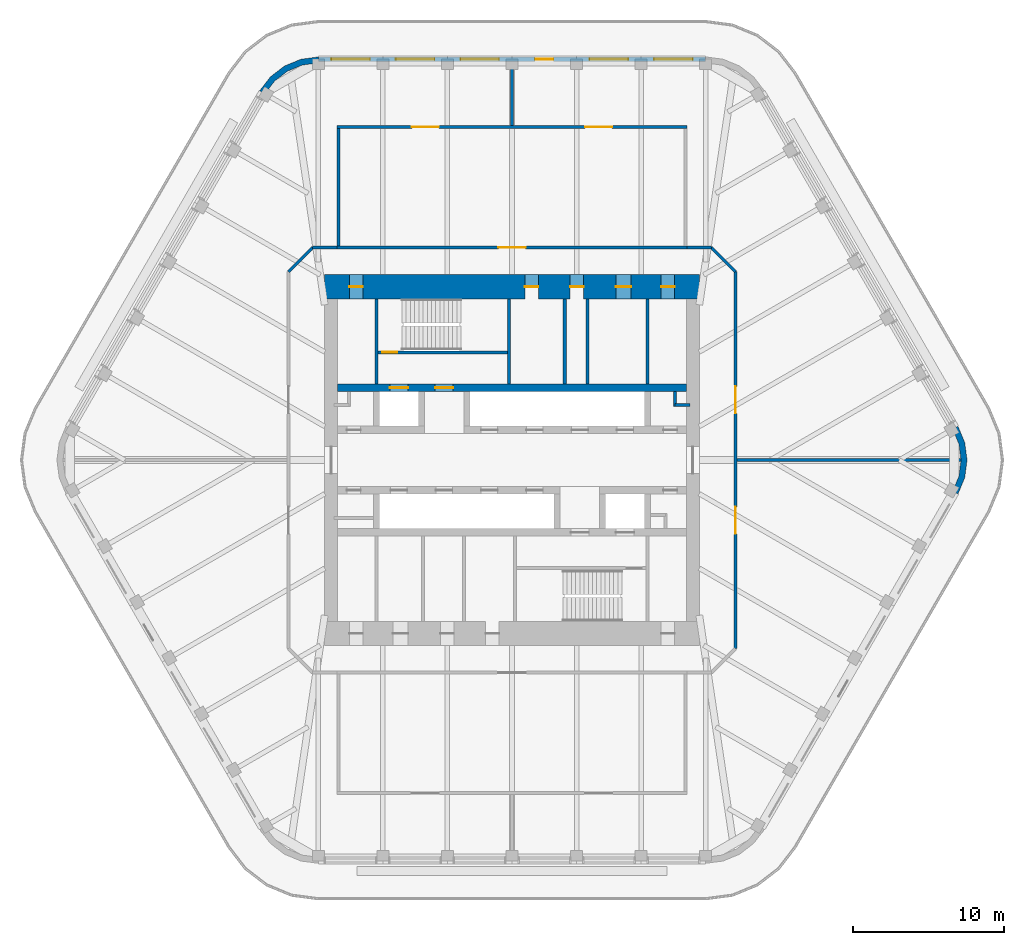
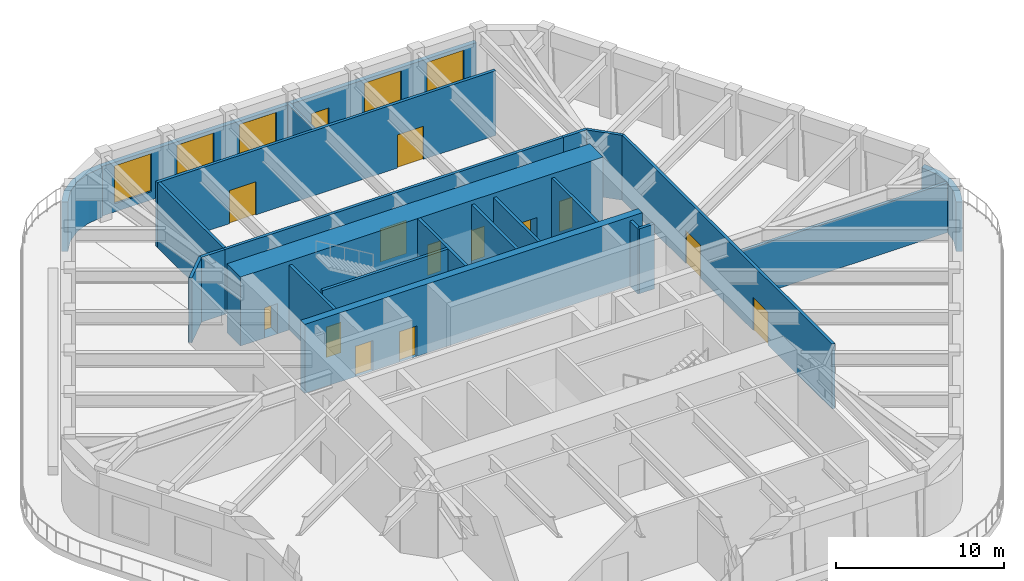
# One storey, part 9 of 13: 23 walls, 14 doors, 5 windows, 19 openings.
"""IFC4 building model written with IfcOpenShell, lengths in metres."""

from ifc_helpers import new_model, si_unit, direction, frame, frame_2d, origin, place, context, subcontext, project, spatial, polyline, rectangle, outline, extrude, material, layer, layer_set, type_object, element, fill, save


model = new_model("IFC4")

# Units and contexts
model_context = context("Model", 3, precision=1e-05, world=origin(), true_north=direction((0.0, 1.0)))
body_context = subcontext(model_context, "Body", "Model", "MODEL_VIEW")
ifc_project = project(units=[si_unit("LENGTHUNIT", "METRE"), si_unit("AREAUNIT", "SQUARE_METRE"), si_unit("VOLUMEUNIT", "CUBIC_METRE"), si_unit("PLANEANGLEUNIT", "RADIAN"), si_unit("MASSUNIT", "GRAM", prefix="KILO")], contexts=[model_context])

# Site, building, storey
site_placement = place(None, origin())
site = spatial("IfcSite", under=ifc_project, at=site_placement, CompositionType="ELEMENT")
building_placement = place(site_placement, origin())
building = spatial("IfcBuilding", under=site, at=building_placement, Name="Tarfa Lantern Tower", CompositionType="ELEMENT")
storey_placement = place(building_placement, frame((0.0, 0.0, 391.300048828125)))
storey = spatial("IfcBuildingStorey", under=building, at=storey_placement, Name="L89", CompositionType="ELEMENT", Elevation=391.300048828125)

# Wall, openings, door, windows
ifc_material_1 = material(Name="Limestone cladding on blockwork", Category="masonry")
ifc_layer_1 = layer(ifc_material_1, 0.300048828125)
ifc_layer_set_1 = layer_set([ifc_layer_1], Name="EW1 STONE-CLAD WALL 300")
wall_type_1 = type_object("IfcWallType", Name="EW1 STONE-CLAD WALL 300", PredefinedType="SOLIDWALL", material=ifc_layer_set_1)
wall_1_placement = place(storey_placement, frame((12.845947265625, 26.60009765625, 0.0), z_axis=(0.0, 0.0, 1.0), x_axis=(-1.0, 0.0, 0.0)))
wall_1 = element("IfcWall", 1, at=wall_1_placement, inside=storey, type_object=wall_type_1, Name="Stone wall N", PredefinedType="SOLIDWALL", context=body_context, shape_type="SweptSolid", body=[
    extrude(rectangle(XDim=25.69189453125, YDim=0.300048828125, at=frame_2d((12.845947265625, 0.0))), origin(), (0.0, 0.0, 1.0), 3.599853515625),
])
opening_1_placement = place(wall_1_placement, frame((0.865966796875, 0.0, 0.60009765625)))
opening_1 = element("IfcOpeningElement", 2, at=opening_1_placement, cuts=wall_1, Name="Opening W18", PredefinedType="OPENING", context=body_context, shape_type="SweptSolid", body=[
    extrude(rectangle(XDim=2.550048828125, YDim=2.75, at=frame_2d((1.27490234375, 1.375))), frame((0.0, 0.159912109375, 0.0), z_axis=(0.0, -1.0, 0.0), x_axis=(1.0, 0.0, 0.0)), (0.0, 0.0, 1.0), 0.320068359375),
])
opening_2_placement = place(wall_1_placement, frame((5.14794921875, 0.0, 0.60009765625)))
opening_2 = element("IfcOpeningElement", 3, at=opening_2_placement, cuts=wall_1, Name="Opening W18", PredefinedType="OPENING", context=body_context, shape_type="SweptSolid", body=[
    extrude(rectangle(XDim=2.550048828125, YDim=2.75, at=frame_2d((1.27490234375, 1.375))), frame((0.0, 0.159912109375, 0.0), z_axis=(0.0, -1.0, 0.0), x_axis=(1.0, 0.0, 0.0)), (0.0, 0.0, 1.0), 0.320068359375),
])
opening_3_placement = place(wall_1_placement, frame((10.10498046875, 0.0, 0.0)))
opening_3 = element("IfcOpeningElement", 4, at=opening_3_placement, cuts=wall_1, Name="Opening D31", PredefinedType="OPENING", context=body_context, shape_type="SweptSolid", body=[
    extrude(rectangle(XDim=1.199951171875, YDim=2.39990234375, at=frame_2d((0.60009765625, 1.199951171875))), frame((0.0, 0.159912109375, 0.0), z_axis=(0.0, -1.0, 0.0), x_axis=(1.0, 0.0, 0.0)), (0.0, 0.0, 1.0), 0.320068359375),
])
opening_4_placement = place(wall_1_placement, frame((13.712158203125, 0.0, 0.60009765625)))
opening_4 = element("IfcOpeningElement", 5, at=opening_4_placement, cuts=wall_1, Name="Opening W18", PredefinedType="OPENING", context=body_context, shape_type="SweptSolid", body=[
    extrude(rectangle(XDim=2.550048828125, YDim=2.75, at=frame_2d((1.27490234375, 1.375))), frame((0.0, 0.159912109375, 0.0), z_axis=(0.0, -1.0, 0.0), x_axis=(1.0, 0.0, 0.0)), (0.0, 0.0, 1.0), 0.320068359375),
])
opening_5_placement = place(wall_1_placement, frame((17.994140625, 0.0, 0.60009765625)))
opening_5 = element("IfcOpeningElement", 6, at=opening_5_placement, cuts=wall_1, Name="Opening W18", PredefinedType="OPENING", context=body_context, shape_type="SweptSolid", body=[
    extrude(rectangle(XDim=2.550048828125, YDim=2.75, at=frame_2d((1.27490234375, 1.375))), frame((0.0, 0.159912109375, 0.0), z_axis=(0.0, -1.0, 0.0), x_axis=(1.0, 0.0, 0.0)), (0.0, 0.0, 1.0), 0.320068359375),
])
opening_6_placement = place(wall_1_placement, frame((22.276123046875, 0.0, 0.60009765625)))
opening_6 = element("IfcOpeningElement", 7, at=opening_6_placement, cuts=wall_1, Name="Opening W18", PredefinedType="OPENING", context=body_context, shape_type="SweptSolid", body=[
    extrude(rectangle(XDim=2.550048828125, YDim=2.75, at=frame_2d((1.27490234375, 1.375))), frame((0.0, 0.159912109375, 0.0), z_axis=(0.0, -1.0, 0.0), x_axis=(1.0, 0.0, 0.0)), (0.0, 0.0, 1.0), 0.320068359375),
])
ifc_material_2 = material(Name="Aluminium framed glazed door", Category="aluminium")
door_type_1 = type_object("IfcDoorType", Name="BE3 BALCONY DOOR 1200x2400", OperationType="SINGLE_SWING_RIGHT", PredefinedType="DOOR", material=ifc_material_2)
door_1_placement = place(opening_3_placement, origin())
door_1 = element("IfcDoor", 8, at=door_1_placement, inside=storey, type_object=door_type_1, Name="Balcony door N", OperationType="SINGLE_SWING_LEFT", OverallHeight=2.39990234375, OverallWidth=1.199951171875, PredefinedType="DOOR", context=body_context, shape_type="SweptSolid", body=[
    extrude(rectangle(XDim=1.199951171875, YDim=2.39990234375, at=frame_2d((0.60009765625, 1.199951171875))), frame((0.0, 0.02490234375, 0.0), z_axis=(0.0, -1.0, 0.0), x_axis=(1.0, 0.0, 0.0)), (0.0, 0.0, 1.0), 0.050048828125),
])
fill(opening_3, door_1)
ifc_material_3 = material(Name="Aluminium frame, double glazed", Category="aluminium")
window_type = type_object("IfcWindowType", Name="W18 FULL-HEIGHT GLAZING 2550x2750", PartitioningType="SINGLE_PANEL", PredefinedType="WINDOW", material=ifc_material_3)
window_1_placement = place(opening_1_placement, origin())
window_1 = element("IfcWindow", 9, at=window_1_placement, inside=storey, type_object=window_type, Name="Window N 1", OverallHeight=2.75, OverallWidth=2.550048828125, PartitioningType="SINGLE_PANEL", PredefinedType="WINDOW", context=body_context, shape_type="SweptSolid", body=[
    extrude(rectangle(XDim=2.550048828125, YDim=2.75, at=frame_2d((1.27490234375, 1.375))), frame((0.0, 0.030029296875, 0.0), z_axis=(0.0, -1.0, 0.0), x_axis=(1.0, 0.0, 0.0)), (0.0, 0.0, 1.0), 0.06005859375),
])
fill(opening_1, window_1)
window_2_placement = place(opening_2_placement, origin())
window_2 = element("IfcWindow", 10, at=window_2_placement, inside=storey, type_object=window_type, Name="Window N 2", OverallHeight=2.75, OverallWidth=2.550048828125, PartitioningType="SINGLE_PANEL", PredefinedType="WINDOW", context=body_context, shape_type="SweptSolid", body=[
    extrude(rectangle(XDim=2.550048828125, YDim=2.75, at=frame_2d((1.27490234375, 1.375))), frame((0.0, 0.030029296875, 0.0), z_axis=(0.0, -1.0, 0.0), x_axis=(1.0, 0.0, 0.0)), (0.0, 0.0, 1.0), 0.06005859375),
])
fill(opening_2, window_2)
window_3_placement = place(opening_4_placement, origin())
window_3 = element("IfcWindow", 11, at=window_3_placement, inside=storey, type_object=window_type, Name="Window N 4", OverallHeight=2.75, OverallWidth=2.550048828125, PartitioningType="SINGLE_PANEL", PredefinedType="WINDOW", context=body_context, shape_type="SweptSolid", body=[
    extrude(rectangle(XDim=2.550048828125, YDim=2.75, at=frame_2d((1.27490234375, 1.375))), frame((0.0, 0.030029296875, 0.0), z_axis=(0.0, -1.0, 0.0), x_axis=(1.0, 0.0, 0.0)), (0.0, 0.0, 1.0), 0.06005859375),
])
fill(opening_4, window_3)
window_4_placement = place(opening_5_placement, origin())
window_4 = element("IfcWindow", 12, at=window_4_placement, inside=storey, type_object=window_type, Name="Window N 5", OverallHeight=2.75, OverallWidth=2.550048828125, PartitioningType="SINGLE_PANEL", PredefinedType="WINDOW", context=body_context, shape_type="SweptSolid", body=[
    extrude(rectangle(XDim=2.550048828125, YDim=2.75, at=frame_2d((1.27490234375, 1.375))), frame((0.0, 0.030029296875, 0.0), z_axis=(0.0, -1.0, 0.0), x_axis=(1.0, 0.0, 0.0)), (0.0, 0.0, 1.0), 0.06005859375),
])
fill(opening_5, window_4)
window_5_placement = place(opening_6_placement, origin())
window_5 = element("IfcWindow", 13, at=window_5_placement, inside=storey, type_object=window_type, Name="Window N 6", OverallHeight=2.75, OverallWidth=2.550048828125, PartitioningType="SINGLE_PANEL", PredefinedType="WINDOW", context=body_context, shape_type="SweptSolid", body=[
    extrude(rectangle(XDim=2.550048828125, YDim=2.75, at=frame_2d((1.27490234375, 1.375))), frame((0.0, 0.030029296875, 0.0), z_axis=(0.0, -1.0, 0.0), x_axis=(1.0, 0.0, 0.0)), (0.0, 0.0, 1.0), 0.06005859375),
])
fill(opening_6, window_5)

# Walls
ifc_layer_2 = layer(ifc_material_1, 0.39990234375)
ifc_layer_set_2 = layer_set([ifc_layer_2], Name="EW2 CURVED STONE CORNER 400")
wall_type_2 = type_object("IfcWallType", Name="EW2 CURVED STONE CORNER 400", PredefinedType="SOLIDWALL", material=ifc_layer_set_2)
wall_2_placement = place(storey_placement, origin())
element("IfcWall", 14, at=wall_2_placement, inside=storey, type_object=wall_type_2, Name="Stone corner N-NW", PredefinedType="SOLIDWALL", context=body_context, shape_type="SweptSolid", body=[
    extrude(outline(polyline([(-12.845947265625, 26.75), (-14.0107421875, 26.5966796875), (-15.095947265625, 26.147216796875), (-16.028076171875, 25.431884765625), (-16.7431640625, 24.5), (-16.396728515625, 24.300048828125), (-15.7451171875, 25.149169921875), (-14.89599609375, 25.80078125), (-13.9072265625, 26.210205078125), (-12.845947265625, 26.35009765625), (-12.845947265625, 26.75)])), origin(), (0.0, 0.0, 1.0), 3.599853515625),
])
wall_3_placement = place(storey_placement, origin())
element("IfcWall", 15, at=wall_3_placement, inside=storey, type_object=wall_type_2, Name="Stone corner SE-NE", PredefinedType="SOLIDWALL", context=body_context, shape_type="SweptSolid", body=[
    extrude(outline(polyline([(29.589111328125, -2.25), (30.038818359375, -1.164794921875), (30.192138671875, 0.0), (30.038818359375, 1.164794921875), (29.589111328125, 2.25), (29.24267578125, 2.050048828125), (29.65234375, 1.061279296875), (29.7919921875, 0.0), (29.65234375, -1.061279296875), (29.24267578125, -2.050048828125), (29.589111328125, -2.25)])), origin(), (0.0, 0.0, 1.0), 3.599853515625),
])
ifc_material_4 = material(Name="Concrete blockwork", Category="masonry")
ifc_layer_3 = layer(ifc_material_4, 0.199951171875)
ifc_layer_set_3 = layer_set([ifc_layer_3], Name="IW1 BLOCKWORK PARTITION 200 EI 120")
wall_type_3 = type_object("IfcWallType", Name="IW1 BLOCKWORK PARTITION 200 EI 120", PredefinedType="PARTITIONING", material=ifc_layer_set_3)
for number, where, z_axis, x_axis, name in (
    (16, (-9.0, 5.050048828125, 0.0), (0.0, 0.0, 1.0), (0.0, 1.0, 0.0), "Core partition"),
    (17, (9.0, 5.050048828125, 0.0), (0.0, 0.0, 1.0), (0.0, 1.0, 0.0), "Core partition"),
    (18, (3.5, 5.050048828125, 0.0), (0.0, 0.0, 1.0), (0.0, 1.0, 0.0), "Core partition"),
    (19, (5.0, 5.050048828125, 0.0), (0.0, 0.0, 1.0), (0.0, 1.0, 0.0), "Core partition"),
):
    element("IfcWall", number, at=place(storey_placement, frame(where, z_axis=z_axis, x_axis=x_axis)), inside=storey, type_object=wall_type_3, Name=name, PredefinedType="PARTITIONING", context=body_context, shape_type="SweptSolid", body=[
        extrude(rectangle(XDim=5.64990234375, YDim=0.199951171875, at=frame_2d((2.824951171875, 0.0))), origin(), (0.0, 0.0, 1.0), 4.699951171875),
    ])
for number, where, z_axis, x_axis, name in (
    (20, (10.800048828125, 3.64990234375, 0.0), (0.0, 0.0, 1.0), (1.0, 0.0, 0.0), "Core partition"),
    (21, (10.800048828125, 3.550048828125, 0.0), (0.0, 0.0, 1.0), (0.0, 1.0, 0.0), "Core partition"),
):
    element("IfcWall", number, at=place(storey_placement, frame(where, z_axis=z_axis, x_axis=x_axis)), inside=storey, type_object=wall_type_3, Name=name, PredefinedType="PARTITIONING", context=body_context, shape_type="SweptSolid", body=[
        extrude(rectangle(XDim=1.0, YDim=0.199951171875, at=frame_2d((0.5, 0.0))), origin(), (0.0, 0.0, 1.0), 4.699951171875),
    ])

# Wall, opening, door
ifc_material_5 = material(Name="Gypsum board on steel studs", Category="steel")
ifc_layer_4 = layer(ifc_material_5, 0.2099609375)
ifc_layer_set_4 = layer_set([ifc_layer_4], Name="IW2 ACOUSTIC PARTITION 200")
wall_type_4 = type_object("IfcWallType", Name="IW2 ACOUSTIC PARTITION 200", PredefinedType="PARTITIONING", material=ifc_layer_set_4)
wall_4_placement = place(storey_placement, frame((-11.60009765625, 14.10009765625, 0.0), z_axis=(0.0, 0.0, 1.0), x_axis=(1.0, 0.0, 0.0)))
wall_4 = element("IfcWall", 22, at=wall_4_placement, inside=storey, type_object=wall_type_4, Name="Partition", PredefinedType="PARTITIONING", context=body_context, shape_type="SweptSolid", body=[
    extrude(rectangle(XDim=23.2001953125, YDim=0.199951171875, at=frame_2d((11.60009765625, 0.0))), origin(), (0.0, 0.0, 1.0), 4.699951171875),
])
opening_7_placement = place(wall_4_placement, frame((10.699951171875, 0.0, 0.0)))
opening_7 = element("IfcOpeningElement", 23, at=opening_7_placement, cuts=wall_4, Name="Opening D21", PredefinedType="OPENING", context=body_context, shape_type="SweptSolid", body=[
    extrude(rectangle(XDim=1.800048828125, YDim=2.39990234375, at=frame_2d((0.89990234375, 1.199951171875))), frame((0.0, 0.10986328125, 0.0), z_axis=(0.0, -1.0, 0.0), x_axis=(1.0, 0.0, 0.0)), (0.0, 0.0, 1.0), 0.219970703125),
])
ifc_material_6 = material(Name="Timber door", Category="wood")
door_type_2 = type_object("IfcDoorType", Name="DR2 ROOM DOOR 1800x2400", OperationType="DOUBLE_DOOR_SINGLE_SWING", PredefinedType="DOOR", material=ifc_material_6)
door_2_placement = place(opening_7_placement, origin())
door_2 = element("IfcDoor", 24, at=door_2_placement, inside=storey, type_object=door_type_2, Name="Boardroom door", OperationType="DOUBLE_DOOR_SINGLE_SWING", OverallHeight=2.39990234375, OverallWidth=1.800048828125, PredefinedType="DOOR", context=body_context, shape_type="SweptSolid", body=[
    extrude(rectangle(XDim=1.800048828125, YDim=2.39990234375, at=frame_2d((0.89990234375, 1.199951171875))), frame((0.0, 0.02490234375, 0.0), z_axis=(0.0, -1.0, 0.0), x_axis=(1.0, 0.0, 0.0)), (0.0, 0.0, 1.0), 0.050048828125),
])
fill(opening_7, door_2)

# Wall
wall_5_placement = place(storey_placement, frame((-11.5, 14.199951171875, 0.0), z_axis=(0.0, 0.0, 1.0), x_axis=(0.0, 1.0, 0.0)))
element("IfcWall", 25, at=wall_5_placement, inside=storey, type_object=wall_type_4, Name="Partition", PredefinedType="PARTITIONING", context=body_context, shape_type="SweptSolid", body=[
    extrude(rectangle(XDim=7.800048828125, YDim=0.199951171875, at=frame_2d((3.89990234375, 0.0))), origin(), (0.0, 0.0, 1.0), 4.699951171875),
])

# Wall, openings, doors
wall_6_placement = place(storey_placement, frame((-11.60009765625, 22.10009765625, 0.0), z_axis=(0.0, 0.0, 1.0), x_axis=(1.0, 0.0, 0.0)))
wall_6 = element("IfcWall", 26, at=wall_6_placement, inside=storey, type_object=wall_type_4, Name="Partition", PredefinedType="PARTITIONING", context=body_context, shape_type="SweptSolid", body=[
    extrude(rectangle(XDim=23.2001953125, YDim=0.199951171875, at=frame_2d((11.60009765625, 0.0))), origin(), (0.0, 0.0, 1.0), 4.699951171875),
])
opening_8_placement = place(wall_6_placement, frame((4.949951171875, 0.0, 0.0)))
opening_8 = element("IfcOpeningElement", 27, at=opening_8_placement, cuts=wall_6, Name="Opening D23", PredefinedType="OPENING", context=body_context, shape_type="SweptSolid", body=[
    extrude(rectangle(XDim=1.800048828125, YDim=2.39990234375, at=frame_2d((0.89990234375, 1.199951171875))), frame((0.0, 0.10986328125, 0.0), z_axis=(0.0, -1.0, 0.0), x_axis=(1.0, 0.0, 0.0)), (0.0, 0.0, 1.0), 0.219970703125),
])
opening_9_placement = place(wall_6_placement, frame((16.449951171875, 0.0, 0.0)))
opening_9 = element("IfcOpeningElement", 28, at=opening_9_placement, cuts=wall_6, Name="Opening D24", PredefinedType="OPENING", context=body_context, shape_type="SweptSolid", body=[
    extrude(rectangle(XDim=1.800048828125, YDim=2.39990234375, at=frame_2d((0.89990234375, 1.199951171875))), frame((0.0, 0.10986328125, 0.0), z_axis=(0.0, -1.0, 0.0), x_axis=(1.0, 0.0, 0.0)), (0.0, 0.0, 1.0), 0.219970703125),
])
door_3_placement = place(opening_8_placement, frame((1.800048828125, 0.0, 0.0), z_axis=(0.0, 0.0, 1.0), x_axis=(-1.0, 0.0, 0.0)))
door_3 = element("IfcDoor", 29, at=door_3_placement, inside=storey, type_object=door_type_2, Name="Boardroom door", OperationType="DOUBLE_DOOR_SINGLE_SWING", OverallHeight=2.39990234375, OverallWidth=1.800048828125, PredefinedType="DOOR", context=body_context, shape_type="SweptSolid", body=[
    extrude(rectangle(XDim=1.800048828125, YDim=2.39990234375, at=frame_2d((0.89990234375, 1.199951171875))), frame((0.0, 0.02490234375, 0.0), z_axis=(0.0, -1.0, 0.0), x_axis=(1.0, 0.0, 0.0)), (0.0, 0.0, 1.0), 0.050048828125),
])
fill(opening_8, door_3)
door_4_placement = place(opening_9_placement, frame((1.800048828125, 0.0, 0.0), z_axis=(0.0, 0.0, 1.0), x_axis=(-1.0, 0.0, 0.0)))
door_4 = element("IfcDoor", 30, at=door_4_placement, inside=storey, type_object=door_type_2, Name="Boardroom door", OperationType="DOUBLE_DOOR_SINGLE_SWING", OverallHeight=2.39990234375, OverallWidth=1.800048828125, PredefinedType="DOOR", context=body_context, shape_type="SweptSolid", body=[
    extrude(rectangle(XDim=1.800048828125, YDim=2.39990234375, at=frame_2d((0.89990234375, 1.199951171875))), frame((0.0, 0.02490234375, 0.0), z_axis=(0.0, -1.0, 0.0), x_axis=(1.0, 0.0, 0.0)), (0.0, 0.0, 1.0), 0.050048828125),
])
fill(opening_9, door_4)

# Walls
for number, where, z_axis, x_axis, name in (
    (31, (-13.22509765625, 14.10009765625, 0.0), (0.0, 0.0, 1.0), (1.0, 0.0, 0.0), "Partition"),
    (32, (11.60009765625, 14.10009765625, 0.0), (0.0, 0.0, 1.0), (1.0, 0.0, 0.0), "Partition"),
):
    element("IfcWall", number, at=place(storey_placement, frame(where, z_axis=z_axis, x_axis=x_axis)), inside=storey, type_object=wall_type_4, Name=name, PredefinedType="PARTITIONING", context=body_context, shape_type="SweptSolid", body=[
        extrude(rectangle(XDim=1.625, YDim=0.199951171875, at=frame_2d((0.8125, 0.0))), origin(), (0.0, 0.0, 1.0), 4.699951171875),
    ])
wall_7_placement = place(storey_placement, frame((13.22509765625, 14.10009765625, 0.0), z_axis=(0.0, 0.0, 1.0), x_axis=(0.707052830339, -0.707160727918, 0.0)))
element("IfcWall", 33, at=wall_7_placement, inside=storey, type_object=wall_type_4, Name="Partition", PredefinedType="PARTITIONING", context=body_context, shape_type="SweptSolid", body=[
    extrude(rectangle(XDim=2.2626953125, YDim=0.199951171875, at=frame_2d((1.13134765625, 0.0))), origin(), (0.0, 0.0, 1.0), 4.699951171875),
])

# Wall, openings, doors
wall_8_placement = place(storey_placement, frame((14.824951171875, 12.5, 0.0), z_axis=(0.0, 0.0, 1.0), x_axis=(0.0, -1.0, 0.0)))
wall_8 = element("IfcWall", 34, at=wall_8_placement, inside=storey, type_object=wall_type_4, Name="Partition", PredefinedType="PARTITIONING", context=body_context, shape_type="SweptSolid", body=[
    extrude(rectangle(XDim=25.0, YDim=0.199951171875, at=frame_2d((12.5, 0.0))), origin(), (0.0, 0.0, 1.0), 4.699951171875),
])
opening_10_placement = place(wall_8_placement, frame((7.60009765625, 0.0, 0.0)))
opening_10 = element("IfcOpeningElement", 35, at=opening_10_placement, cuts=wall_8, Name="Opening D27", PredefinedType="OPENING", context=body_context, shape_type="SweptSolid", body=[
    extrude(rectangle(XDim=1.800048828125, YDim=2.39990234375, at=frame_2d((0.89990234375, 1.199951171875))), frame((0.0, 0.10986328125, 0.0), z_axis=(0.0, -1.0, 0.0), x_axis=(1.0, 0.0, 0.0)), (0.0, 0.0, 1.0), 0.219970703125),
])
opening_11_placement = place(wall_8_placement, frame((15.60009765625, 0.0, 0.0)))
opening_11 = element("IfcOpeningElement", 36, at=opening_11_placement, cuts=wall_8, Name="Opening D29", PredefinedType="OPENING", context=body_context, shape_type="SweptSolid", body=[
    extrude(rectangle(XDim=1.800048828125, YDim=2.39990234375, at=frame_2d((0.89990234375, 1.199951171875))), frame((0.0, 0.10986328125, 0.0), z_axis=(0.0, -1.0, 0.0), x_axis=(1.0, 0.0, 0.0)), (0.0, 0.0, 1.0), 0.219970703125),
])
door_5_placement = place(opening_10_placement, origin())
door_5 = element("IfcDoor", 37, at=door_5_placement, inside=storey, type_object=door_type_2, Name="Board support office north-east door", OperationType="DOUBLE_DOOR_SINGLE_SWING", OverallHeight=2.39990234375, OverallWidth=1.800048828125, PredefinedType="DOOR", context=body_context, shape_type="SweptSolid", body=[
    extrude(rectangle(XDim=1.800048828125, YDim=2.39990234375, at=frame_2d((0.89990234375, 1.199951171875))), frame((0.0, 0.02490234375, 0.0), z_axis=(0.0, -1.0, 0.0), x_axis=(1.0, 0.0, 0.0)), (0.0, 0.0, 1.0), 0.050048828125),
])
fill(opening_10, door_5)
door_6_placement = place(opening_11_placement, origin())
door_6 = element("IfcDoor", 38, at=door_6_placement, inside=storey, type_object=door_type_2, Name="Board support office south-east door", OperationType="DOUBLE_DOOR_SINGLE_SWING", OverallHeight=2.39990234375, OverallWidth=1.800048828125, PredefinedType="DOOR", context=body_context, shape_type="SweptSolid", body=[
    extrude(rectangle(XDim=1.800048828125, YDim=2.39990234375, at=frame_2d((0.89990234375, 1.199951171875))), frame((0.0, 0.02490234375, 0.0), z_axis=(0.0, -1.0, 0.0), x_axis=(1.0, 0.0, 0.0)), (0.0, 0.0, 1.0), 0.050048828125),
])
fill(opening_11, door_6)

# Walls
wall_9_placement = place(storey_placement, frame((-14.824951171875, 12.5, 0.0), z_axis=(0.0, 0.0, 1.0), x_axis=(0.707052830339, 0.707160727918, 0.0)))
element("IfcWall", 39, at=wall_9_placement, inside=storey, type_object=wall_type_4, Name="Partition", PredefinedType="PARTITIONING", context=body_context, shape_type="SweptSolid", body=[
    extrude(rectangle(XDim=2.2626953125, YDim=0.199951171875, at=frame_2d((1.13134765625, 0.0))), origin(), (0.0, 0.0, 1.0), 4.699951171875),
])
wall_10_placement = place(storey_placement, frame((0.0, 22.199951171875, 0.0), z_axis=(0.0, 0.0, 1.0), x_axis=(0.0, 1.0, 0.0)))
element("IfcWall", 40, at=wall_10_placement, inside=storey, type_object=wall_type_4, Name="Partition", PredefinedType="PARTITIONING", context=body_context, shape_type="SweptSolid", body=[
    extrude(rectangle(XDim=4.360107421875, YDim=0.199951171875, at=frame_2d((2.18017578125, 0.0))), origin(), (0.0, 0.0, 1.0), 3.69189453125),
])
wall_11_placement = place(storey_placement, frame((14.925048828125, 0.0, 0.0), z_axis=(0.0, 0.0, 1.0), x_axis=(1.0, 0.0, 0.0)))
element("IfcWall", 41, at=wall_11_placement, inside=storey, type_object=wall_type_4, Name="Partition", PredefinedType="PARTITIONING", context=body_context, shape_type="SweptSolid", body=[
    extrude(rectangle(XDim=14.85400390625, YDim=0.199951171875, at=frame_2d((7.427001953125, 0.0))), origin(), (0.0, 0.0, 1.0), 3.599853515625),
])
ifc_material_7 = material(Name="Concrete C80/95", Category="concrete")
ifc_layer_5 = layer(ifc_material_7, 0.199951171875)
ifc_layer_set_5 = layer_set([ifc_layer_5], Name="SW12 CORE WALL 200")
wall_type_5 = type_object("IfcWallType", Name="SW12 CORE WALL 200", PredefinedType="SHEAR", material=ifc_layer_set_5)
wall_12_placement = place(storey_placement, frame((-0.199951171875, 5.050048828125, 0.0), z_axis=(0.0, 0.0, 1.0), x_axis=(0.0, 1.0, 0.0)))
element("IfcWall", 42, at=wall_12_placement, inside=storey, type_object=wall_type_5, Name="Core wall stair shaft N", PredefinedType="SHEAR", context=body_context, shape_type="SweptSolid", body=[
    extrude(rectangle(XDim=5.64990234375, YDim=0.199951171875, at=frame_2d((2.824951171875, 0.0))), origin(), (0.0, 0.0, 1.0), 5.0),
])

# Wall, opening, door
wall_13_placement = place(storey_placement, frame((-8.89990234375, 7.14990234375, 0.0), z_axis=(0.0, 0.0, 1.0), x_axis=(1.0, 0.0, 0.0)))
wall_13 = element("IfcWall", 43, at=wall_13_placement, inside=storey, type_object=wall_type_5, Name="Core wall stair partition N", PredefinedType="SHEAR", context=body_context, shape_type="SweptSolid", body=[
    extrude(rectangle(XDim=8.599853515625, YDim=0.199951171875, at=frame_2d((4.2998046875, 0.0))), origin(), (0.0, 0.0, 1.0), 5.0),
])
opening_12_placement = place(wall_13_placement, frame((0.300048828125, 0.0, 0.0)))
opening_12 = element("IfcOpeningElement", 44, at=opening_12_placement, cuts=wall_13, Name="Opening D19", PredefinedType="OPENING", context=body_context, shape_type="SweptSolid", body=[
    extrude(rectangle(XDim=1.0, YDim=2.199951171875, at=frame_2d((0.5, 1.10009765625))), frame((0.0, 0.10986328125, 0.0), z_axis=(0.0, -1.0, 0.0), x_axis=(1.0, 0.0, 0.0)), (0.0, 0.0, 1.0), 0.219970703125),
])
ifc_material_8 = material(Name="Steel fire door", Category="steel")
door_type_3 = type_object("IfcDoorType", Name="DF2 STAIR DOOR 1000x2200", OperationType="SINGLE_SWING_LEFT", PredefinedType="DOOR", material=ifc_material_8)
door_7_placement = place(opening_12_placement, origin())
door_7 = element("IfcDoor", 45, at=door_7_placement, inside=storey, type_object=door_type_3, Name="Stair door", OperationType="SINGLE_SWING_RIGHT", OverallHeight=2.199951171875, OverallWidth=1.0, PredefinedType="DOOR", context=body_context, shape_type="SweptSolid", body=[
    extrude(rectangle(XDim=1.0, YDim=2.199951171875, at=frame_2d((0.5, 1.10009765625))), frame((0.0, 0.02490234375, 0.0), z_axis=(0.0, -1.0, 0.0), x_axis=(1.0, 0.0, 0.0)), (0.0, 0.0, 1.0), 0.050048828125),
])
fill(opening_12, door_7)

# Wall, openings, doors
ifc_layer_6 = layer(ifc_material_7, 0.5)
ifc_layer_set_6 = layer_set([ifc_layer_6], Name="SW5 CORE WALL 500")
wall_type_6 = type_object("IfcWallType", Name="SW5 CORE WALL 500", PredefinedType="SHEAR", material=ifc_layer_set_6)
wall_14_placement = place(storey_placement, frame((-11.574951171875, 4.800048828125, 0.0), z_axis=(0.0, 0.0, 1.0), x_axis=(1.0, 0.0, 0.0)))
wall_14 = element("IfcWall", 46, at=wall_14_placement, inside=storey, type_object=wall_type_6, Name="Core wall rear N", PredefinedType="SHEAR", context=body_context, shape_type="SweptSolid", body=[
    extrude(rectangle(XDim=23.14990234375, YDim=0.5, at=frame_2d((11.574951171875, 0.0))), origin(), (0.0, 0.0, 1.0), 5.0),
])
opening_13_placement = place(wall_14_placement, frame((6.47509765625, 0.0, 0.0)))
opening_13 = element("IfcOpeningElement", 47, at=opening_13_placement, cuts=wall_14, Name="Opening D05", PredefinedType="OPENING", context=body_context, shape_type="SweptSolid", body=[
    extrude(rectangle(XDim=1.199951171875, YDim=2.199951171875, at=frame_2d((0.60009765625, 1.10009765625))), frame((0.0, 0.260009765625, 0.0), z_axis=(0.0, -1.0, 0.0), x_axis=(1.0, 0.0, 0.0)), (0.0, 0.0, 1.0), 0.52001953125),
])
opening_14_placement = place(wall_14_placement, frame((3.47509765625, 0.0, 0.0)))
opening_14 = element("IfcOpeningElement", 48, at=opening_14_placement, cuts=wall_14, Name="Opening LD01", PredefinedType="OPENING", context=body_context, shape_type="SweptSolid", body=[
    extrude(rectangle(XDim=1.199951171875, YDim=2.199951171875, at=frame_2d((0.60009765625, 1.10009765625))), frame((0.0, 0.260009765625, 0.0), z_axis=(0.0, -1.0, 0.0), x_axis=(1.0, 0.0, 0.0)), (0.0, 0.0, 1.0), 0.52001953125),
])
door_type_4 = type_object("IfcDoorType", Name="DF1 FIREFIGHTING LOBBY DOOR 1200x2200", OperationType="SINGLE_SWING_LEFT", PredefinedType="DOOR", material=ifc_material_8)
door_8_placement = place(opening_13_placement, origin())
door_8 = element("IfcDoor", 49, at=door_8_placement, inside=storey, type_object=door_type_4, Name="Firefighting lobby door", OperationType="SINGLE_SWING_LEFT", OverallHeight=2.199951171875, OverallWidth=1.199951171875, PredefinedType="DOOR", context=body_context, shape_type="SweptSolid", body=[
    extrude(rectangle(XDim=1.199951171875, YDim=2.199951171875, at=frame_2d((0.60009765625, 1.10009765625))), frame((0.0, 0.02490234375, 0.0), z_axis=(0.0, -1.0, 0.0), x_axis=(1.0, 0.0, 0.0)), (0.0, 0.0, 1.0), 0.050048828125),
])
fill(opening_13, door_8)
ifc_material_9 = material(Name="Stainless steel lift door", Category="steel")
door_type_5 = type_object("IfcDoorType", Name="LD1 LIFT LANDING DOOR 1200x2200", OperationType="SLIDING_TO_LEFT", PredefinedType="DOOR", material=ifc_material_9)
door_9_placement = place(opening_14_placement, origin())
door_9 = element("IfcDoor", 50, at=door_9_placement, inside=storey, type_object=door_type_5, Name="Landing door FL1", OperationType="SLIDING_TO_LEFT", OverallHeight=2.199951171875, OverallWidth=1.199951171875, PredefinedType="DOOR", context=body_context, shape_type="SweptSolid", body=[
    extrude(rectangle(XDim=1.199951171875, YDim=2.199951171875, at=frame_2d((0.60009765625, 1.10009765625))), frame((0.0, 0.02490234375, 0.0), z_axis=(0.0, -1.0, 0.0), x_axis=(1.0, 0.0, 0.0)), (0.0, 0.0, 1.0), 0.050048828125),
])
fill(opening_14, door_9)

ifc_layer_7 = layer(ifc_material_7, 1.60009765625)
ifc_layer_set_7 = layer_set([ifc_layer_7], Name="SW7 CORE WALL 1600")
wall_type_7 = type_object("IfcWallType", Name="SW7 CORE WALL 1600", PredefinedType="SHEAR", material=ifc_layer_set_7)
wall_15_placement = place(storey_placement, frame((-12.425048828125, 11.5, 0.0), z_axis=(0.0, 0.0, 1.0), x_axis=(1.0, 0.0, 0.0)))
wall_15 = element("IfcWall", 51, at=wall_15_placement, inside=storey, type_object=wall_type_7, Name="Core wall N", PredefinedType="SHEAR", context=body_context, shape_type="SweptSolid", body=[
    extrude(rectangle(XDim=24.85009765625, YDim=1.60009765625, at=frame_2d((12.425048828125, 0.0))), origin(), (0.0, 0.0, 1.0), 5.0),
])
opening_15_placement = place(wall_15_placement, frame((13.27490234375, 0.0, 0.0)))
opening_15 = element("IfcOpeningElement", 52, at=opening_15_placement, cuts=wall_15, Name="Opening D13", PredefinedType="OPENING", context=body_context, shape_type="SweptSolid", body=[
    extrude(rectangle(XDim=0.89990234375, YDim=2.199951171875, at=frame_2d((0.449951171875, 1.10009765625))), frame((0.0, 0.81005859375, 0.0), z_axis=(0.0, -1.0, 0.0), x_axis=(1.0, 0.0, 0.0)), (0.0, 0.0, 1.0), 1.6201171875),
])
opening_16_placement = place(wall_15_placement, frame((16.27490234375, 0.0, 0.0)))
opening_16 = element("IfcOpeningElement", 53, at=opening_16_placement, cuts=wall_15, Name="Opening D15", PredefinedType="OPENING", context=body_context, shape_type="SweptSolid", body=[
    extrude(rectangle(XDim=0.89990234375, YDim=2.199951171875, at=frame_2d((0.449951171875, 1.10009765625))), frame((0.0, 0.81005859375, 0.0), z_axis=(0.0, -1.0, 0.0), x_axis=(1.0, 0.0, 0.0)), (0.0, 0.0, 1.0), 1.6201171875),
])
opening_17_placement = place(wall_15_placement, frame((19.324951171875, 0.0, 0.0)))
opening_17 = element("IfcOpeningElement", 54, at=opening_17_placement, cuts=wall_15, Name="Opening D17", PredefinedType="OPENING", context=body_context, shape_type="SweptSolid", body=[
    extrude(rectangle(XDim=1.0, YDim=2.199951171875, at=frame_2d((0.5, 1.10009765625))), frame((0.0, 0.81005859375, 0.0), z_axis=(0.0, -1.0, 0.0), x_axis=(1.0, 0.0, 0.0)), (0.0, 0.0, 1.0), 1.6201171875),
])
opening_18_placement = place(wall_15_placement, frame((1.637451171875, 0.0, 0.0)))
opening_18 = element("IfcOpeningElement", 55, at=opening_18_placement, cuts=wall_15, Name="Opening D03", PredefinedType="OPENING", context=body_context, shape_type="SweptSolid", body=[
    extrude(rectangle(XDim=0.89990234375, YDim=2.199951171875, at=frame_2d((0.449951171875, 1.10009765625))), frame((0.0, 0.81005859375, 0.0), z_axis=(0.0, -1.0, 0.0), x_axis=(1.0, 0.0, 0.0)), (0.0, 0.0, 1.0), 1.6201171875),
])
opening_19_placement = place(wall_15_placement, frame((22.3125, 0.0, 0.0)))
opening_19 = element("IfcOpeningElement", 56, at=opening_19_placement, cuts=wall_15, Name="Opening D01", PredefinedType="OPENING", context=body_context, shape_type="SweptSolid", body=[
    extrude(rectangle(XDim=0.89990234375, YDim=2.199951171875, at=frame_2d((0.449951171875, 1.10009765625))), frame((0.0, 0.81005859375, 0.0), z_axis=(0.0, -1.0, 0.0), x_axis=(1.0, 0.0, 0.0)), (0.0, 0.0, 1.0), 1.6201171875),
])
door_type_6 = type_object("IfcDoorType", Name="DF3 CORE ROOM DOOR 900x2200", OperationType="SINGLE_SWING_LEFT", PredefinedType="DOOR", material=ifc_material_8)
door_10_placement = place(opening_15_placement, frame((0.89990234375, 0.0, 0.0), z_axis=(0.0, 0.0, 1.0), x_axis=(-1.0, 0.0, 0.0)))
door_10 = element("IfcDoor", 57, at=door_10_placement, inside=storey, type_object=door_type_6, Name="Core door", OperationType="SINGLE_SWING_LEFT", OverallHeight=2.199951171875, OverallWidth=0.89990234375, PredefinedType="DOOR", context=body_context, shape_type="SweptSolid", body=[
    extrude(rectangle(XDim=0.89990234375, YDim=2.199951171875, at=frame_2d((0.449951171875, 1.10009765625))), frame((0.0, 0.02490234375, 0.0), z_axis=(0.0, -1.0, 0.0), x_axis=(1.0, 0.0, 0.0)), (0.0, 0.0, 1.0), 0.050048828125),
])
fill(opening_15, door_10)
door_11_placement = place(opening_16_placement, frame((0.89990234375, 0.0, 0.0), z_axis=(0.0, 0.0, 1.0), x_axis=(-1.0, 0.0, 0.0)))
door_11 = element("IfcDoor", 58, at=door_11_placement, inside=storey, type_object=door_type_6, Name="Core door", OperationType="SINGLE_SWING_RIGHT", OverallHeight=2.199951171875, OverallWidth=0.89990234375, PredefinedType="DOOR", context=body_context, shape_type="SweptSolid", body=[
    extrude(rectangle(XDim=0.89990234375, YDim=2.199951171875, at=frame_2d((0.449951171875, 1.10009765625))), frame((0.0, 0.02490234375, 0.0), z_axis=(0.0, -1.0, 0.0), x_axis=(1.0, 0.0, 0.0)), (0.0, 0.0, 1.0), 0.050048828125),
])
fill(opening_16, door_11)
door_type_7 = type_object("IfcDoorType", Name="DF4 CORE ROOM DOOR 1000x2200", OperationType="SINGLE_SWING_LEFT", PredefinedType="DOOR", material=ifc_material_8)
door_12_placement = place(opening_17_placement, frame((1.0, 0.0, 0.0), z_axis=(0.0, 0.0, 1.0), x_axis=(-1.0, 0.0, 0.0)))
door_12 = element("IfcDoor", 59, at=door_12_placement, inside=storey, type_object=door_type_7, Name="Core door", OperationType="SINGLE_SWING_RIGHT", OverallHeight=2.199951171875, OverallWidth=1.0, PredefinedType="DOOR", context=body_context, shape_type="SweptSolid", body=[
    extrude(rectangle(XDim=1.0, YDim=2.199951171875, at=frame_2d((0.5, 1.10009765625))), frame((0.0, 0.02490234375, 0.0), z_axis=(0.0, -1.0, 0.0), x_axis=(1.0, 0.0, 0.0)), (0.0, 0.0, 1.0), 0.050048828125),
])
fill(opening_17, door_12)
door_type_8 = type_object("IfcDoorType", Name="DF5 RISER DOOR 900x2200", OperationType="SINGLE_SWING_LEFT", PredefinedType="DOOR", material=ifc_material_8)
door_13_placement = place(opening_18_placement, frame((0.89990234375, 0.0, 0.0), z_axis=(0.0, 0.0, 1.0), x_axis=(-1.0, 0.0, 0.0)))
door_13 = element("IfcDoor", 60, at=door_13_placement, inside=storey, type_object=door_type_8, Name="Riser door", OperationType="SINGLE_SWING_LEFT", OverallHeight=2.199951171875, OverallWidth=0.89990234375, PredefinedType="DOOR", context=body_context, shape_type="SweptSolid", body=[
    extrude(rectangle(XDim=0.89990234375, YDim=2.199951171875, at=frame_2d((0.449951171875, 1.10009765625))), frame((0.0, 0.02490234375, 0.0), z_axis=(0.0, -1.0, 0.0), x_axis=(1.0, 0.0, 0.0)), (0.0, 0.0, 1.0), 0.050048828125),
])
fill(opening_18, door_13)
door_14_placement = place(opening_19_placement, frame((0.89990234375, 0.0, 0.0), z_axis=(0.0, 0.0, 1.0), x_axis=(-1.0, 0.0, 0.0)))
door_14 = element("IfcDoor", 61, at=door_14_placement, inside=storey, type_object=door_type_8, Name="Riser door", OperationType="SINGLE_SWING_RIGHT", OverallHeight=2.199951171875, OverallWidth=0.89990234375, PredefinedType="DOOR", context=body_context, shape_type="SweptSolid", body=[
    extrude(rectangle(XDim=0.89990234375, YDim=2.199951171875, at=frame_2d((0.449951171875, 1.10009765625))), frame((0.0, 0.02490234375, 0.0), z_axis=(0.0, -1.0, 0.0), x_axis=(1.0, 0.0, 0.0)), (0.0, 0.0, 1.0), 0.050048828125),
])
fill(opening_19, door_14)

save(model, "model.ifc")
